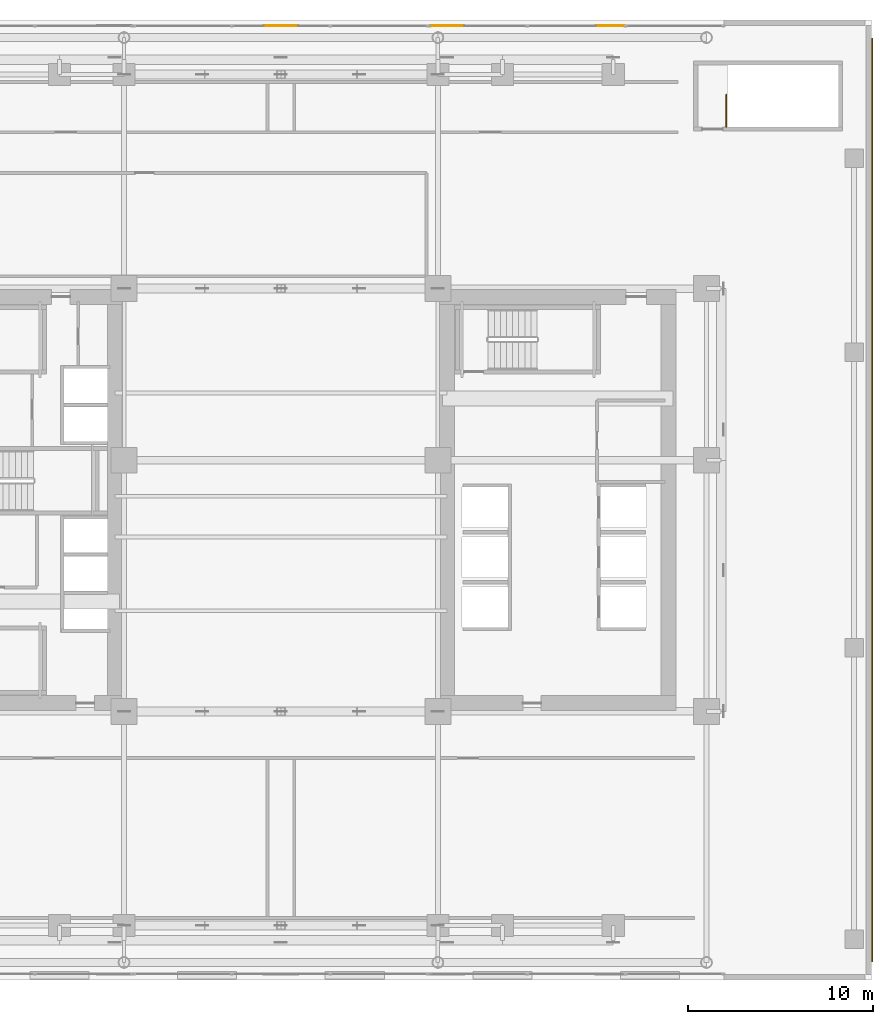
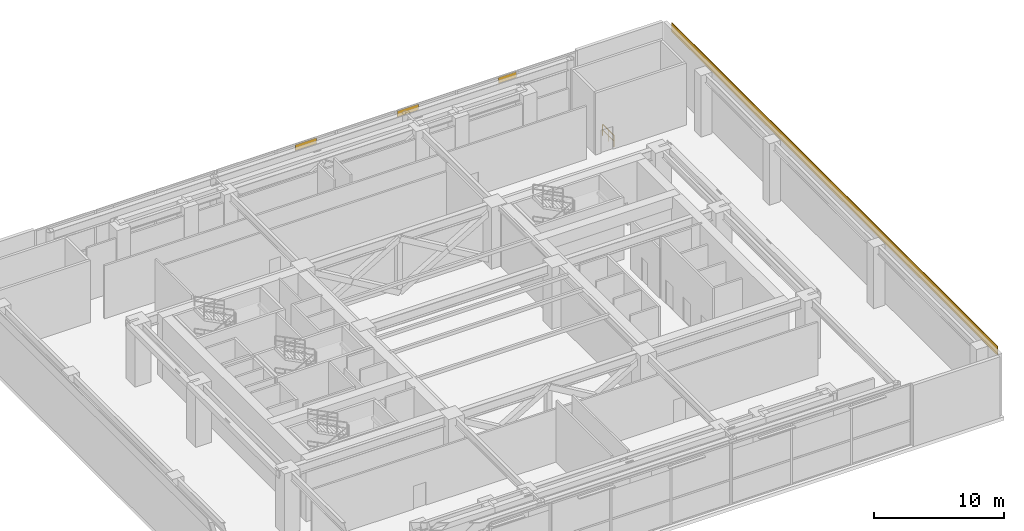
# One storey, part 29 of 29: 3 coverings, 1 railing.
"""IFC4 building model written with IfcOpenShell, lengths in metres."""

from ifc_helpers import new_model, si_unit, direction, frame, origin, origin_2d, place, context, subcontext, project, spatial, rectangle, extrude, source, transform, mapped, material, layer, layer_set, type_object, element, save


model = new_model("IFC4")

# Units and contexts
model_context = context("Model", 3, precision=1e-05, world=origin(), true_north=direction((0.0, 1.0)))
body_context = subcontext(model_context, "Body", "Model", "MODEL_VIEW")
ifc_project = project(units=[si_unit("LENGTHUNIT", "METRE"), si_unit("AREAUNIT", "SQUARE_METRE"), si_unit("VOLUMEUNIT", "CUBIC_METRE"), si_unit("PLANEANGLEUNIT", "RADIAN"), si_unit("MASSUNIT", "GRAM", prefix="KILO")], contexts=[model_context])

# Site, building, storey
site_placement = place(None, origin())
site = spatial("IfcSite", under=ifc_project, at=site_placement, CompositionType="ELEMENT")
building_placement = place(site_placement, origin())
building = spatial("IfcBuilding", under=site, at=building_placement, Name="Ocotamira Hotel", CompositionType="ELEMENT")
storey_placement = place(building_placement, frame((0.0, 0.0, 28.800048828125)))
storey = spatial("IfcBuildingStorey", under=building, at=storey_placement, Name="L06", CompositionType="ELEMENT", Elevation=28.800048828125)

# Coverings
ifc_material_1 = material(Name="Insulated pale-metal aluminium spandrel panel", Category="aluminium")
ifc_layer_1 = layer(ifc_material_1, 0.044921875)
ifc_layer_set_1 = layer_set([ifc_layer_1], Name="Insulated pale-metal aluminium spandrel panel")
covering_type_1 = type_object("IfcCoveringType", Name="COV-INFILL-45", PredefinedType="CLADDING", material=ifc_layer_set_1)
covering_1_placement = place(storey_placement, origin())
element("IfcCovering", 1, at=covering_1_placement, inside=storey, type_object=covering_type_1, Name="L06 Curtain Wall Infill CW-5 CW-L06-N2", PredefinedType="CLADDING", context=body_context, shape_type="SweptSolid", body=[
    extrude(rectangle(XDim=1.877197265625, YDim=0.044921875, at=origin_2d()), frame((32.0, 51.679931640625, 5.133544921875), z_axis=(0.0, 0.0, 1.0), x_axis=(1.0, 0.0, 0.0)), (0.0, 0.0, 1.0), 0.541015625),
])
covering_2_placement = place(storey_placement, origin())
element("IfcCovering", 2, at=covering_2_placement, inside=storey, type_object=covering_type_1, Name="L06 Curtain Wall Infill CW-5 CW-L06-N3", PredefinedType="CLADDING", context=body_context, shape_type="SweptSolid", body=[
    extrude(rectangle(XDim=1.858154296875, YDim=0.044921875, at=origin_2d()), frame((41.009521484375, 51.679931640625, 5.133544921875), z_axis=(0.0, 0.0, 1.0), x_axis=(1.0, 0.0, 0.0)), (0.0, 0.0, 1.0), 0.541015625),
    extrude(rectangle(XDim=1.564697265625, YDim=0.044921875, at=origin_2d()), frame((49.84375, 51.679931640625, 5.133544921875), z_axis=(0.0, 0.0, 1.0), x_axis=(1.0, 0.0, 0.0)), (0.0, 0.0, 1.0), 0.541015625),
])

# Railing
ifc_material_2 = material(Name="Painted steel stair guardrail", Category="steel")
railing_type = type_object("IfcRailingType", Name="RL-STAIR-1100", PredefinedType="GUARDRAIL", material=ifc_material_2)
railing_placement = place(storey_placement, frame((56.1298828125, 46.199951171875, 0.0)))
element("IfcRailing", 3, at=railing_placement, inside=storey, type_object=railing_type, Name="L06 ST-6 top well guard 1", PredefinedType="GUARDRAIL", context=body_context, shape_type="SweptSolid", body=[
    extrude(rectangle(XDim=0.048095703125, YDim=0.048095703125, at=origin_2d()), frame((0.0, 0.0, 1.076171875), z_axis=(0.0, 1.0, 0.0), x_axis=(-1.0, 0.0, 0.0)), (0.0, 0.0, 1.0), 1.760009765625),
    extrude(rectangle(XDim=0.048095703125, YDim=0.048095703125, at=origin_2d()), frame((0.0, 0.0, 0.550048828125), z_axis=(0.0, 1.0, 0.0), x_axis=(-1.0, 0.0, 0.0)), (0.0, 0.0, 1.0), 1.760009765625),
    extrude(rectangle(XDim=0.0419921875, YDim=0.0419921875, at=origin_2d()), origin(), (0.0, 0.0, 1.0), 1.052001953125),
    extrude(rectangle(XDim=0.0419921875, YDim=0.0419921875, at=origin_2d()), frame((0.0, 0.8798828125, 0.0)), (0.0, 0.0, 1.0), 1.052001953125),
    extrude(rectangle(XDim=0.0419921875, YDim=0.0419921875, at=origin_2d()), frame((0.0, 1.760009765625, 0.0)), (0.0, 0.0, 1.0), 1.052001953125),
])

# Covering
ifc_material_3 = material(Name="Pale-metal champagne aluminium rainscreen cladding", Category="aluminium")
ifc_layer_2 = layer(ifc_material_3, 0.06005859375)
ifc_layer_set_2 = layer_set([ifc_layer_2], Name="Pale-metal champagne aluminium rainscreen cladding")
covering_type_2 = type_object("IfcCoveringType", Name="COV-CLAD-60", PredefinedType="CLADDING", material=ifc_layer_set_2)
shared_shape = source(origin(), body_context, "Body", "SweptSolid", [
    extrude(rectangle(XDim=0.06005859375, YDim=50.0, at=origin_2d()), origin(), (0.0, 0.0, 1.0), 0.85009765625),
])
covering_3_placement = place(storey_placement, frame((64.02001953125, 26.0, 5.14990234375), z_axis=(0.0, 0.0, 1.0), x_axis=(1.0, 0.0, 0.0)))
element("IfcCovering", 4, at=covering_3_placement, inside=storey, type_object=covering_type_2, Name="L06 East Spandrel Cladding", PredefinedType="CLADDING", context=body_context, shape_type="MappedRepresentation", body=[
    mapped(shared_shape, transform((0.0, 0.0, 0.0), scale=1.0)),
])

save(model, "model.ifc")
